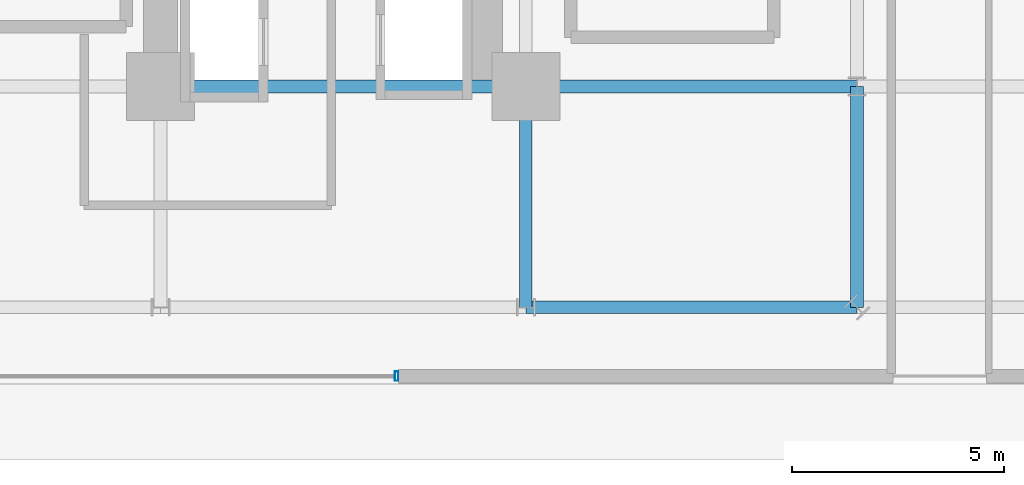
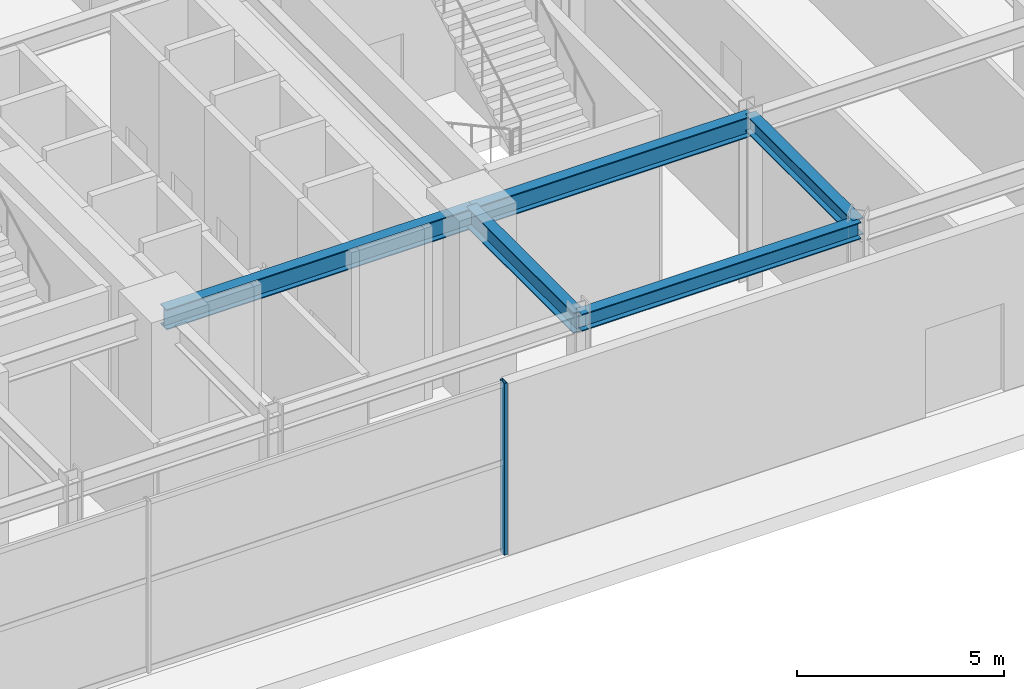
# One storey, part 9 of 29: 5 beams, 1 member, 1 element without a shape of its own.
"""IFC4 building model written with IfcOpenShell, lengths in metres."""

from ifc_helpers import new_model, si_unit, direction, frame, origin, origin_2d, place, context, subcontext, project, spatial, hollow_rectangle, i_section, extrude, source, transform, mapped, material, material_profile, profile_set, type_object, element, aggregate, save


model = new_model("IFC4")

# Units and contexts
model_context = context("Model", 3, precision=1e-05, world=origin(), true_north=direction((0.0, 1.0)))
body_context = subcontext(model_context, "Body", "Model", "MODEL_VIEW")
ifc_project = project(units=[si_unit("LENGTHUNIT", "METRE"), si_unit("AREAUNIT", "SQUARE_METRE"), si_unit("VOLUMEUNIT", "CUBIC_METRE"), si_unit("PLANEANGLEUNIT", "RADIAN"), si_unit("MASSUNIT", "GRAM", prefix="KILO")], contexts=[model_context])

# Site, building, storey
site_placement = place(None, origin())
site = spatial("IfcSite", under=ifc_project, at=site_placement, CompositionType="ELEMENT")
building_placement = place(site_placement, origin())
building = spatial("IfcBuilding", under=site, at=building_placement, Name="Nahalor Promenade Grand Hotel", CompositionType="ELEMENT")
storey_placement = place(building_placement, origin())
storey = spatial("IfcBuildingStorey", under=building, at=storey_placement, Name="L00", CompositionType="ELEMENT", Elevation=0.0)

# Beams
ifc_material_1 = material(Name="Steel S355JR", Category="steel")
ifc_material_profile_1 = material_profile(ifc_material_1, i_section(OverallWidth=0.3, OverallDepth=0.6, WebThickness=0.0155, FlangeThickness=0.03, at=origin_2d()), Name="HEB 600")
ifc_profile_set_1 = profile_set([ifc_material_profile_1], Name="Steel S355JR")
beam_type_1 = type_object("IfcBeamType", Name="Beam-Girder-HEB600", PredefinedType="BEAM", material=ifc_profile_set_1)
shared_shape_1 = source(origin(), body_context, "Body", "SweptSolid", [
    extrude(i_section(OverallWidth=0.3, OverallDepth=0.6, WebThickness=0.0155, FlangeThickness=0.03, at=origin_2d()), origin(), (0.0, 0.0, 1.0), 7.800048828125),
])
beam_1_placement = place(storey_placement, frame((17.0, -17.0, 4.780029296875), z_axis=(1.0, 0.0, 0.0), x_axis=(0.0, 1.0, 0.0)))
element("IfcBeam", 1, at=beam_1_placement, inside=storey, type_object=beam_type_1, Name="BM-L00-GX-0-7", PredefinedType="BEAM", context=body_context, shape_type="MappedRepresentation", body=[
    mapped(shared_shape_1, transform((0.0, 0.0, 0.0), scale=1.0)),
])
shared_shape_2 = source(origin(), body_context, "Body", "SweptSolid", [
    extrude(i_section(OverallWidth=0.3, OverallDepth=0.6, WebThickness=0.0155, FlangeThickness=0.03, at=origin_2d()), origin(), (0.0, 0.0, 1.0), 8.60009765625),
])
beam_2_placement = place(storey_placement, frame((8.39990234375, -17.0, 4.780029296875), z_axis=(1.0, 0.0, 0.0), x_axis=(0.0, 1.0, 0.0)))
element("IfcBeam", 2, at=beam_2_placement, inside=storey, type_object=beam_type_1, Name="BM-L00-GX-0-6", PredefinedType="BEAM", context=body_context, shape_type="MappedRepresentation", body=[
    mapped(shared_shape_2, transform((0.0, 0.0, 0.0), scale=1.0)),
])
shared_shape_3 = source(origin(), body_context, "Body", "SweptSolid", [
    extrude(i_section(OverallWidth=0.3, OverallDepth=0.6, WebThickness=0.0155, FlangeThickness=0.03, at=origin_2d()), origin(), (0.0, 0.0, 1.0), 5.199951171875),
])
beam_3_placement = place(storey_placement, frame((17.0, -22.199951171875, 4.780029296875), z_axis=(0.0, 1.0, 0.0), x_axis=(-1.0, 0.0, 0.0)))
element("IfcBeam", 3, at=beam_3_placement, inside=storey, type_object=beam_type_1, Name="BM-L00-GY-5-0", PredefinedType="BEAM", context=body_context, shape_type="MappedRepresentation", body=[
    mapped(shared_shape_3, transform((0.0, 0.0, 0.0), scale=1.0)),
])
ifc_material_profile_2 = material_profile(ifc_material_1, i_section(OverallWidth=0.3, OverallDepth=0.5, WebThickness=0.0145, FlangeThickness=0.028, at=origin_2d()), Name="HEB 500")
ifc_profile_set_2 = profile_set([ifc_material_profile_2], Name="Steel S355JR")
beam_type_2 = type_object("IfcBeamType", Name="Beam-Spandrel-HEB500", PredefinedType="SPANDREL", material=ifc_profile_set_2)
shared_shape_4 = source(origin(), body_context, "Body", "SweptSolid", [
    extrude(i_section(OverallWidth=0.3, OverallDepth=0.5, WebThickness=0.0145, FlangeThickness=0.028, at=origin_2d()), origin(), (0.0, 0.0, 1.0), 7.800048828125),
])
beam_4_placement = place(storey_placement, frame((17.0, -22.199951171875, 4.830078125), z_axis=(1.0, 0.0, 0.0), x_axis=(0.0, 1.0, 0.0)))
element("IfcBeam", 4, at=beam_4_placement, inside=storey, type_object=beam_type_2, Name="BM-L00-SPC-SE-1", PredefinedType="SPANDREL", context=body_context, shape_type="MappedRepresentation", body=[
    mapped(shared_shape_4, transform((0.0, 0.0, 0.0), scale=1.0)),
])
shared_shape_5 = source(origin(), body_context, "Body", "SweptSolid", [
    extrude(i_section(OverallWidth=0.3, OverallDepth=0.5, WebThickness=0.0145, FlangeThickness=0.028, at=origin_2d()), origin(), (0.0, 0.0, 1.0), 5.199951171875),
])
beam_5_placement = place(storey_placement, frame((24.800048828125, -22.199951171875, 4.830078125), z_axis=(0.0, 1.0, 0.0), x_axis=(-1.0, 0.0, 0.0)))
element("IfcBeam", 5, at=beam_5_placement, inside=storey, type_object=beam_type_2, Name="BM-L00-SPC-SE-2", PredefinedType="SPANDREL", context=body_context, shape_type="MappedRepresentation", body=[
    mapped(shared_shape_5, transform((0.0, 0.0, 0.0), scale=1.0)),
])

# Curtain wall, member
ifc_material_2 = material(Name="Anodised Bronze Aluminium EN AW-6063 T6", Category="aluminium")
curtain_wall_type = type_object("IfcCurtainWallType", Name="CW1 Waterfront Podium Bronze Arcade Curtain Wall", PredefinedType="USERDEFINED", material=ifc_material_2)
curtain_wall_placement = place(storey_placement, origin())
curtain_wall = element("IfcCurtainWall", 6, at=curtain_wall_placement, inside=storey, type_object=curtain_wall_type, Name="L00 Curtain Wall CW-L00-S-MID", ObjectType="UNITISED_CURTAIN_WALL", PredefinedType="USERDEFINED")
ifc_material_profile_3 = material_profile(ifc_material_2, hollow_rectangle(XDim=0.08, YDim=0.22, WallThickness=0.005, at=origin_2d()), Name="CWM 80x220x5")
ifc_profile_set_3 = profile_set([ifc_material_profile_3], Name="Anodised Bronze Aluminium EN AW-6063 T6")
member_type = type_object("IfcMemberType", Name="CWM1 Podium Bronze Mullion 80x220", PredefinedType="MULLION", material=ifc_profile_set_3)
shared_shape_6 = source(origin(), body_context, "Body", "SweptSolid", [
    extrude(hollow_rectangle(XDim=0.08, YDim=0.22, WallThickness=0.005, at=origin_2d()), origin(), (0.0, 0.0, 1.0), 5.080078125),
])
member_placement = place(storey_placement, frame((13.9599609375, -23.820068359375, 0.0), z_axis=(0.0, 0.0, 1.0), x_axis=(1.0, 0.0, 0.0)))
member = element("IfcMember", 7, at=member_placement, type_object=member_type, Name="CW-L00-S-MID Mullion 4", PredefinedType="MULLION", context=body_context, shape_type="MappedRepresentation", body=[
    mapped(shared_shape_6, transform((0.0, 0.0, 0.0), scale=1.0)),
])
aggregate(curtain_wall, [member])

save(model, "model.ifc")
